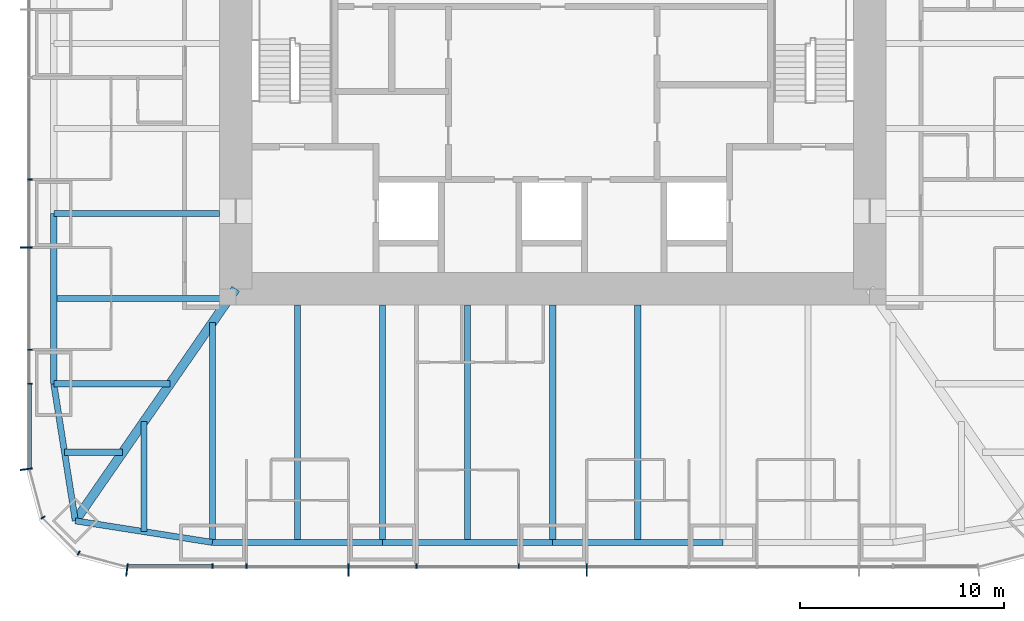
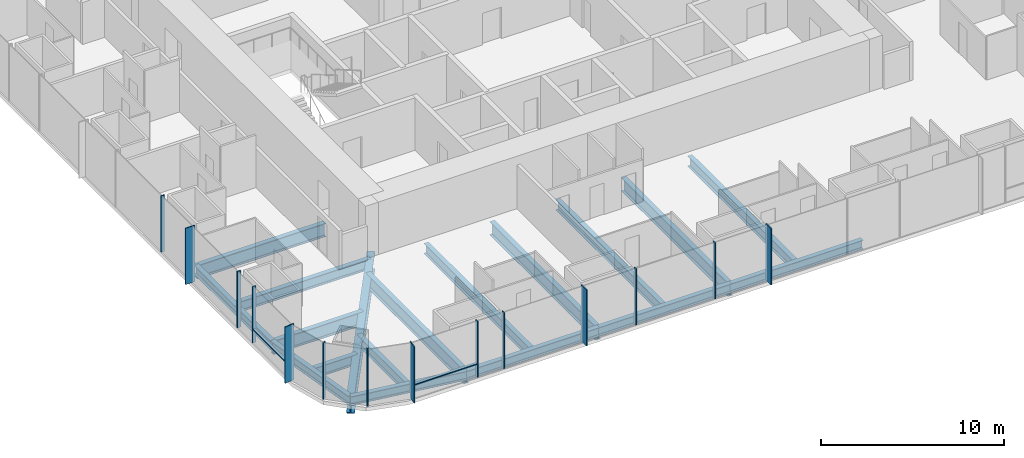
# One storey, part 2 of 13: 18 beams, 16 members, 3 elements without a shape of their own.
"""IFC4 building model written with IfcOpenShell, lengths in metres."""

from ifc_helpers import new_model, si_unit, direction, frame, origin, origin_2d, place, context, subcontext, project, spatial, rectangle, i_section, extrude, material, material_profile, profile_set, type_object, element, aggregate, save


model = new_model("IFC4")

# Units and contexts
model_context = context("Model", 3, precision=1e-05, world=origin(), true_north=direction((0.0, 1.0)))
body_context = subcontext(model_context, "Body", "Model", "MODEL_VIEW")
ifc_project = project(units=[si_unit("LENGTHUNIT", "METRE"), si_unit("AREAUNIT", "SQUARE_METRE"), si_unit("VOLUMEUNIT", "CUBIC_METRE"), si_unit("PLANEANGLEUNIT", "RADIAN"), si_unit("MASSUNIT", "GRAM", prefix="KILO")], contexts=[model_context])

# Site, building, storey
site_placement = place(None, origin())
site = spatial("IfcSite", under=ifc_project, at=site_placement, CompositionType="ELEMENT")
building_placement = place(site_placement, origin())
building = spatial("IfcBuilding", under=site, at=building_placement, Name="Khuree Lantern Residences", CompositionType="ELEMENT")
storey_placement = place(building_placement, frame((0.0, 0.0, 263.25)))
storey = spatial("IfcBuildingStorey", under=building, at=storey_placement, Name="L66", CompositionType="ELEMENT", Elevation=263.25)

# Beams
ifc_material_1 = material(Name="Steel S355", Category="steel")
ifc_material_profile_1 = material_profile(ifc_material_1, i_section(OverallWidth=0.300048828125, OverallDepth=0.68994140625, WebThickness=0.014404296875, FlangeThickness=0.027099609375, FilletRadius=0.027099609375, at=origin_2d()), Name="HE 700 A")
ifc_profile_set_1 = profile_set([ifc_material_profile_1], Name="Steel S355")
beam_type_1 = type_object("IfcBeamType", Name="B-35 SECONDARY BEAM HE 700 A", PredefinedType="BEAM", material=ifc_profile_set_1)
for number, where, z_axis, x_axis, name in (
    (1, (4.159912109375, -24.39990234375, -0.594970703125), (0.0, 1.0, 0.0), (-1.0, 0.0, 0.0), "Secondary beam S3"),
    (2, (-4.159912109375, -24.39990234375, -0.594970703125), (0.0, 1.0, 0.0), (-1.0, 0.0, 0.0), "Secondary beam S4"),
    (3, (-12.47998046875, -24.39990234375, -0.594970703125), (0.0, 1.0, 0.0), (-1.0, 0.0, 0.0), "Secondary beam S5"),
):
    element("IfcBeam", number, at=place(storey_placement, frame(where, z_axis=z_axis, x_axis=x_axis)), inside=storey, type_object=beam_type_1, Name=name, PredefinedType="BEAM", context=body_context, shape_type="SweptSolid", body=[
        extrude(i_section(OverallWidth=0.300048828125, OverallDepth=0.68994140625, WebThickness=0.014404296875, FlangeThickness=0.027099609375, FilletRadius=0.027099609375, at=origin_2d()), origin(), (0.0, 0.0, 1.0), 11.599853515625),
    ])
beam_1_placement = place(storey_placement, frame((-19.992919921875, -23.872802734375, -0.594970703125), z_axis=(0.0, 1.0, 0.0), x_axis=(-1.0, 0.0, 0.0)))
element("IfcBeam", 4, at=beam_1_placement, inside=storey, type_object=beam_type_1, Name="Secondary beam S6", PredefinedType="BEAM", context=body_context, shape_type="SweptSolid", body=[
    extrude(i_section(OverallWidth=0.300048828125, OverallDepth=0.68994140625, WebThickness=0.014404296875, FlangeThickness=0.027099609375, FilletRadius=0.027099609375, at=origin_2d()), origin(), (0.0, 0.0, 1.0), 5.375732421875),
])
beam_2_placement = place(storey_placement, frame((-23.872802734375, -19.992919921875, -0.594970703125), z_axis=(1.0, 0.0, 0.0), x_axis=(0.0, 1.0, 0.0)))
element("IfcBeam", 5, at=beam_2_placement, inside=storey, type_object=beam_type_1, Name="Secondary beam W1", PredefinedType="BEAM", context=body_context, shape_type="SweptSolid", body=[
    extrude(i_section(OverallWidth=0.300048828125, OverallDepth=0.68994140625, WebThickness=0.014404296875, FlangeThickness=0.027099609375, FilletRadius=0.027099609375, at=origin_2d()), origin(), (0.0, 0.0, 1.0), 2.845703125),
])
beam_3_placement = place(storey_placement, frame((-24.39990234375, -12.47998046875, -0.594970703125), z_axis=(1.0, 0.0, 0.0), x_axis=(0.0, 1.0, 0.0)))
element("IfcBeam", 6, at=beam_3_placement, inside=storey, type_object=beam_type_1, Name="Secondary beam W2", PredefinedType="BEAM", context=body_context, shape_type="SweptSolid", body=[
    extrude(i_section(OverallWidth=0.300048828125, OverallDepth=0.68994140625, WebThickness=0.014404296875, FlangeThickness=0.027099609375, FilletRadius=0.027099609375, at=origin_2d()), origin(), (0.0, 0.0, 1.0), 8.56787109375),
])
ifc_material_profile_2 = material_profile(ifc_material_1, i_section(OverallWidth=0.300048828125, OverallDepth=0.590087890625, WebThickness=0.012939453125, FlangeThickness=0.02490234375, FilletRadius=0.027099609375, at=origin_2d()), Name="HE 600 A")
ifc_profile_set_2 = profile_set([ifc_material_profile_2], Name="Steel S355")
beam_type_2 = type_object("IfcBeamType", Name="E-35 SPANDREL BEAM HE 600 A", PredefinedType="SPANDREL", material=ifc_profile_set_2)
for number, where, z_axis, x_axis, name in (
    (7, (8.320068359375, -24.39990234375, -0.544921875), (-1.0, 0.0, 0.0), (0.0, -1.0, 0.0), "Spandrel beam S3"),
    (8, (0.0, -24.39990234375, -0.544921875), (-1.0, 0.0, 0.0), (0.0, -1.0, 0.0), "Spandrel beam S4"),
):
    element("IfcBeam", number, at=place(storey_placement, frame(where, z_axis=z_axis, x_axis=x_axis)), inside=storey, type_object=beam_type_2, Name=name, PredefinedType="SPANDREL", context=body_context, shape_type="SweptSolid", body=[
        extrude(i_section(OverallWidth=0.300048828125, OverallDepth=0.590087890625, WebThickness=0.012939453125, FlangeThickness=0.02490234375, FilletRadius=0.027099609375, at=origin_2d()), origin(), (0.0, 0.0, 1.0), 8.320068359375),
    ])
beam_4_placement = place(storey_placement, frame((-8.320068359375, -24.39990234375, -0.544921875), z_axis=(-1.0, 0.0, 0.0), x_axis=(0.0, -1.0, 0.0)))
element("IfcBeam", 9, at=beam_4_placement, inside=storey, type_object=beam_type_2, Name="Spandrel beam S5", PredefinedType="SPANDREL", context=body_context, shape_type="SweptSolid", body=[
    extrude(i_section(OverallWidth=0.300048828125, OverallDepth=0.590087890625, WebThickness=0.012939453125, FlangeThickness=0.02490234375, FilletRadius=0.027099609375, at=origin_2d()), origin(), (0.0, 0.0, 1.0), 8.31982421875),
])
for number, where, z_axis, x_axis, name in (
    (10, (-16.639892578125, -24.39990234375, -0.544921875), (-0.98786743189, 0.155299507442, 0.0), (-0.155299507442, -0.98786743189, 0.0), "Spandrel beam S6"),
    (11, (-23.345703125, -23.345703125, -0.544921875), (-0.155299507442, 0.98786743189, 0.0), (-0.98786743189, -0.155299507442, 0.0), "Spandrel beam W1"),
):
    element("IfcBeam", number, at=place(storey_placement, frame(where, z_axis=z_axis, x_axis=x_axis)), inside=storey, type_object=beam_type_2, Name=name, PredefinedType="SPANDREL", context=body_context, shape_type="SweptSolid", body=[
        extrude(i_section(OverallWidth=0.300048828125, OverallDepth=0.590087890625, WebThickness=0.012939453125, FlangeThickness=0.02490234375, FilletRadius=0.027099609375, at=origin_2d()), origin(), (0.0, 0.0, 1.0), 6.7880859375),
    ])
beam_5_placement = place(storey_placement, frame((-24.39990234375, -16.639892578125, -0.544921875), z_axis=(0.0, 1.0, 0.0), x_axis=(-1.0, 0.0, 0.0)))
element("IfcBeam", 12, at=beam_5_placement, inside=storey, type_object=beam_type_2, Name="Spandrel beam W2", PredefinedType="SPANDREL", context=body_context, shape_type="SweptSolid", body=[
    extrude(i_section(OverallWidth=0.300048828125, OverallDepth=0.590087890625, WebThickness=0.012939453125, FlangeThickness=0.02490234375, FilletRadius=0.027099609375, at=origin_2d()), origin(), (0.0, 0.0, 1.0), 8.31982421875),
])

# Curtain wall, member
ifc_material_2 = material(Name="Bronze anodised aluminium", Category="aluminium")
curtain_wall_type_1 = type_object("IfcCurtainWallType", Name="CW-T1 TOWER FACE CURTAIN WALL", PredefinedType="USERDEFINED", material=ifc_material_2)
curtain_wall_1_placement = place(storey_placement, origin())
curtain_wall_1 = element("IfcCurtainWall", 13, at=curtain_wall_1_placement, inside=storey, type_object=curtain_wall_type_1, Name="L66 WEST FACE CURTAIN WALL", ObjectType="Stick-built curtain wall", PredefinedType="USERDEFINED")
ifc_material_profile_3 = material_profile(ifc_material_2, rectangle(XDim=0.06494140625, YDim=0.60009765625, at=origin_2d()), Name="F1 65X600")
ifc_profile_set_3 = profile_set([ifc_material_profile_3], Name="Bronze anodised aluminium")
member_type_1 = type_object("IfcMemberType", Name="F1 BRONZE FIN MULLION TOWER 65X600", PredefinedType="MULLION", material=ifc_profile_set_3)
member_1_placement = place(storey_placement, frame((-25.75, -9.98388671875, 0.0), z_axis=(0.0, 0.0, 1.0), x_axis=(0.0, -1.0, 0.0)))
member_1 = element("IfcMember", 14, at=member_1_placement, type_object=member_type_1, Name="L66 WEST FACE FIN MULLION 40", PredefinedType="MULLION", context=body_context, shape_type="SweptSolid", body=[
    extrude(rectangle(XDim=0.06494140625, YDim=0.60009765625, at=origin_2d()), origin(), (0.0, 0.0, 1.0), 3.75),
])

curtain_wall_type_2 = type_object("IfcCurtainWallType", Name="CW-T2 TOWER CORNER CURTAIN WALL", PredefinedType="USERDEFINED", material=ifc_material_2)
curtain_wall_2_placement = place(storey_placement, origin())
curtain_wall_2 = element("IfcCurtainWall", 15, at=curtain_wall_2_placement, inside=storey, type_object=curtain_wall_type_2, Name="L66 SOUTH-WEST CORNER CURTAIN WALL", ObjectType="Faceted corner curtain wall", PredefinedType="USERDEFINED")
member_2_placement = place(storey_placement, frame((-25.75, -20.81982421875, 0.0), z_axis=(0.0, 0.0, 1.0), x_axis=(0.130526180298, -0.991444862943, 0.0)))
member_2 = element("IfcMember", 16, at=member_2_placement, type_object=member_type_1, Name="L66 SOUTH-WEST CORNER FIN MULLION 43", PredefinedType="MULLION", context=body_context, shape_type="SweptSolid", body=[
    extrude(rectangle(XDim=0.06494140625, YDim=0.60009765625, at=origin_2d()), origin(), (0.0, 0.0, 1.0), 3.75),
])

# Curtain wall, members
curtain_wall_3_placement = place(storey_placement, origin())
curtain_wall_3 = element("IfcCurtainWall", 17, at=curtain_wall_3_placement, inside=storey, type_object=curtain_wall_type_1, Name="L66 SOUTH FACE CURTAIN WALL", ObjectType="Stick-built curtain wall", PredefinedType="USERDEFINED")
member_3_placement = place(storey_placement, frame((-20.81982421875, -25.75, 0.0), z_axis=(0.0, 0.0, 1.0), x_axis=(0.991444862943, -0.130526180298, 0.0)))
member_3 = element("IfcMember", 18, at=member_3_placement, type_object=member_type_1, Name="L66 SOUTH FACE FIN MULLION 46", PredefinedType="MULLION", context=body_context, shape_type="SweptSolid", body=[
    extrude(rectangle(XDim=0.06494140625, YDim=0.60009765625, at=origin_2d()), origin(), (0.0, 0.0, 1.0), 3.75),
])
member_4_placement = place(storey_placement, frame((-9.98388671875, -25.75, 0.0), z_axis=(0.0, 0.0, 1.0), x_axis=(1.0, 0.0, 0.0)))
member_4 = element("IfcMember", 19, at=member_4_placement, type_object=member_type_1, Name="L66 SOUTH FACE FIN MULLION 49", PredefinedType="MULLION", context=body_context, shape_type="SweptSolid", body=[
    extrude(rectangle(XDim=0.06494140625, YDim=0.60009765625, at=origin_2d()), origin(), (0.0, 0.0, 1.0), 3.75),
])
member_5_placement = place(storey_placement, frame((1.6640625, -25.75, 0.0), z_axis=(0.0, 0.0, 1.0), x_axis=(1.0, 0.0, 0.0)))
member_5 = element("IfcMember", 20, at=member_5_placement, type_object=member_type_1, Name="L66 SOUTH FACE FIN MULLION 52", PredefinedType="MULLION", context=body_context, shape_type="SweptSolid", body=[
    extrude(rectangle(XDim=0.06494140625, YDim=0.60009765625, at=origin_2d()), origin(), (0.0, 0.0, 1.0), 3.75),
])

# Beams
ifc_material_profile_4 = material_profile(ifc_material_1, i_section(OverallWidth=0.300048828125, OverallDepth=0.89990234375, WebThickness=0.0185546875, FlangeThickness=0.034912109375, FilletRadius=0.030029296875, at=origin_2d()), Name="HE 900 B")
ifc_profile_set_4 = profile_set([ifc_material_profile_4], Name="Steel S355")
beam_type_3 = type_object("IfcBeamType", Name="G-35 GIRDER HE 900 B", PredefinedType="BEAM", material=ifc_profile_set_4)
for number, where, z_axis, x_axis, name in (
    (21, (0.0, -24.39990234375, -0.699951171875), (0.0, 1.0, 0.0), (-1.0, 0.0, 0.0), "Girder S3"),
    (22, (-8.320068359375, -24.39990234375, -0.699951171875), (0.0, 1.0, 0.0), (-1.0, 0.0, 0.0), "Girder S4"),
):
    element("IfcBeam", number, at=place(storey_placement, frame(where, z_axis=z_axis, x_axis=x_axis)), inside=storey, type_object=beam_type_3, Name=name, PredefinedType="BEAM", context=body_context, shape_type="SweptSolid", body=[
        extrude(i_section(OverallWidth=0.300048828125, OverallDepth=0.89990234375, WebThickness=0.0185546875, FlangeThickness=0.034912109375, FilletRadius=0.030029296875, at=origin_2d()), origin(), (0.0, 0.0, 1.0), 11.599853515625),
    ])
beam_6_placement = place(storey_placement, frame((-16.639892578125, -24.39990234375, -0.699951171875), z_axis=(0.0, 1.0, 0.0), x_axis=(-1.0, 0.0, 0.0)))
element("IfcBeam", 23, at=beam_6_placement, inside=storey, type_object=beam_type_3, Name="Girder S5", PredefinedType="BEAM", context=body_context, shape_type="SweptSolid", body=[
    extrude(i_section(OverallWidth=0.300048828125, OverallDepth=0.89990234375, WebThickness=0.0185546875, FlangeThickness=0.034912109375, FilletRadius=0.030029296875, at=origin_2d()), origin(), (0.0, 0.0, 1.0), 10.751220703125),
])
beam_7_placement = place(storey_placement, frame((-24.39990234375, -16.639892578125, -0.699951171875), z_axis=(1.0, 0.0, 0.0), x_axis=(0.0, 1.0, 0.0)))
element("IfcBeam", 24, at=beam_7_placement, inside=storey, type_object=beam_type_3, Name="Girder W1", PredefinedType="BEAM", context=body_context, shape_type="SweptSolid", body=[
    extrude(i_section(OverallWidth=0.300048828125, OverallDepth=0.89990234375, WebThickness=0.0185546875, FlangeThickness=0.034912109375, FilletRadius=0.030029296875, at=origin_2d()), origin(), (0.0, 0.0, 1.0), 5.69140625),
])
beam_8_placement = place(storey_placement, frame((-24.39990234375, -8.320068359375, -0.699951171875), z_axis=(1.0, 0.0, 0.0), x_axis=(0.0, 1.0, 0.0)))
element("IfcBeam", 25, at=beam_8_placement, inside=storey, type_object=beam_type_3, Name="Girder W2", PredefinedType="BEAM", context=body_context, shape_type="SweptSolid", body=[
    extrude(i_section(OverallWidth=0.300048828125, OverallDepth=0.89990234375, WebThickness=0.0185546875, FlangeThickness=0.034912109375, FilletRadius=0.030029296875, at=origin_2d()), origin(), (0.0, 0.0, 1.0), 8.099853515625),
])
ifc_material_profile_5 = material_profile(ifc_material_1, i_section(OverallWidth=0.449951171875, OverallDepth=1.199951171875, WebThickness=0.02490234375, FlangeThickness=0.044921875, at=origin_2d()), Name="WELDED I 1200X450X25X45")
ifc_profile_set_5 = profile_set([ifc_material_profile_5], Name="Steel S355")
beam_type_4 = type_object("IfcBeamType", Name="GD-35 CORNER GIRDER WELDED I 1200X450X25X45", PredefinedType="BEAM", material=ifc_profile_set_5)
beam_9_placement = place(storey_placement, frame((-23.345703125, -23.345703125, -0.85009765625), z_axis=(0.56876813501, 0.822497907959, 0.0), x_axis=(-0.822497907959, 0.56876813501, 0.0)))
element("IfcBeam", 26, at=beam_9_placement, inside=storey, type_object=beam_type_4, Name="Corner girder SW", PredefinedType="BEAM", context=body_context, shape_type="SweptSolid", body=[
    extrude(i_section(OverallWidth=0.449951171875, OverallDepth=1.199951171875, WebThickness=0.02490234375, FlangeThickness=0.044921875, at=origin_2d()), origin(), (0.0, 0.0, 1.0), 13.794189453125),
])

# Member
ifc_material_profile_6 = material_profile(ifc_material_2, rectangle(XDim=0.06494140625, YDim=0.219970703125, at=origin_2d()), Name="M1 65X220")
ifc_profile_set_6 = profile_set([ifc_material_profile_6], Name="Bronze anodised aluminium")
member_type_2 = type_object("IfcMemberType", Name="M1 BRONZE MULLION TOWER 65X220", PredefinedType="MULLION", material=ifc_profile_set_6)
member_6_placement = place(storey_placement, frame((-25.56005859375, -6.656005859375, 0.0), z_axis=(0.0, 0.0, 1.0), x_axis=(0.0, -1.0, 0.0)))
member_6 = element("IfcMember", 27, at=member_6_placement, type_object=member_type_2, Name="L66 WEST FACE MULLION 39", PredefinedType="MULLION", context=body_context, shape_type="SweptSolid", body=[
    extrude(rectangle(XDim=0.06494140625, YDim=0.219970703125, at=origin_2d()), origin(), (0.0, 0.0, 1.0), 3.75),
])

member_7_placement = place(storey_placement, frame((-25.56005859375, -14.97607421875, 0.0), z_axis=(0.0, 0.0, 1.0), x_axis=(0.0, -1.0, 0.0)))
member_7 = element("IfcMember", 28, at=member_7_placement, type_object=member_type_2, Name="L66 WEST FACE MULLION 41", PredefinedType="MULLION", context=body_context, shape_type="SweptSolid", body=[
    extrude(rectangle(XDim=0.06494140625, YDim=0.219970703125, at=origin_2d()), origin(), (0.0, 0.0, 1.0), 3.75),
])

member_8_placement = place(storey_placement, frame((-25.56005859375, -16.639892578125, 0.0), z_axis=(0.0, 0.0, 1.0), x_axis=(0.0, -1.0, 0.0)))
member_8 = element("IfcMember", 29, at=member_8_placement, type_object=member_type_2, Name="L66 WEST FACE MULLION 42", PredefinedType="MULLION", context=body_context, shape_type="SweptSolid", body=[
    extrude(rectangle(XDim=0.06494140625, YDim=0.219970703125, at=origin_2d()), origin(), (0.0, 0.0, 1.0), 3.75),
])

member_9_placement = place(storey_placement, frame((-24.92236328125, -23.179931640625, 0.0), z_axis=(0.0, 0.0, 1.0), x_axis=(0.499999989586, -0.866025409797, 0.0)))
member_9 = element("IfcMember", 30, at=member_9_placement, type_object=member_type_2, Name="L66 SOUTH-WEST CORNER MULLION 44", PredefinedType="MULLION", context=body_context, shape_type="SweptSolid", body=[
    extrude(rectangle(XDim=0.06494140625, YDim=0.219970703125, at=origin_2d()), origin(), (0.0, 0.0, 1.0), 3.75),
])

member_10_placement = place(storey_placement, frame((-23.179931640625, -24.92236328125, 0.0), z_axis=(0.0, 0.0, 1.0), x_axis=(0.866025409797, -0.499999989586, 0.0)))
member_10 = element("IfcMember", 31, at=member_10_placement, type_object=member_type_2, Name="L66 SOUTH-WEST CORNER MULLION 45", PredefinedType="MULLION", context=body_context, shape_type="SweptSolid", body=[
    extrude(rectangle(XDim=0.06494140625, YDim=0.219970703125, at=origin_2d()), origin(), (0.0, 0.0, 1.0), 3.75),
])

aggregate(curtain_wall_2, [member_2, member_9, member_10])

member_11_placement = place(storey_placement, frame((-16.639892578125, -25.56005859375, 0.0), z_axis=(0.0, 0.0, 1.0), x_axis=(1.0, 0.0, 0.0)))
member_11 = element("IfcMember", 32, at=member_11_placement, type_object=member_type_2, Name="L66 SOUTH FACE MULLION 47", PredefinedType="MULLION", context=body_context, shape_type="SweptSolid", body=[
    extrude(rectangle(XDim=0.06494140625, YDim=0.219970703125, at=origin_2d()), origin(), (0.0, 0.0, 1.0), 3.75),
])

member_12_placement = place(storey_placement, frame((-14.97607421875, -25.56005859375, 0.0), z_axis=(0.0, 0.0, 1.0), x_axis=(1.0, 0.0, 0.0)))
member_12 = element("IfcMember", 33, at=member_12_placement, type_object=member_type_2, Name="L66 SOUTH FACE MULLION 48", PredefinedType="MULLION", context=body_context, shape_type="SweptSolid", body=[
    extrude(rectangle(XDim=0.06494140625, YDim=0.219970703125, at=origin_2d()), origin(), (0.0, 0.0, 1.0), 3.75),
])

member_13_placement = place(storey_placement, frame((-6.656005859375, -25.56005859375, 0.0), z_axis=(0.0, 0.0, 1.0), x_axis=(1.0, 0.0, 0.0)))
member_13 = element("IfcMember", 34, at=member_13_placement, type_object=member_type_2, Name="L66 SOUTH FACE MULLION 50", PredefinedType="MULLION", context=body_context, shape_type="SweptSolid", body=[
    extrude(rectangle(XDim=0.06494140625, YDim=0.219970703125, at=origin_2d()), origin(), (0.0, 0.0, 1.0), 3.75),
])

member_14_placement = place(storey_placement, frame((-1.6640625, -25.56005859375, 0.0), z_axis=(0.0, 0.0, 1.0), x_axis=(1.0, 0.0, 0.0)))
member_14 = element("IfcMember", 35, at=member_14_placement, type_object=member_type_2, Name="L66 SOUTH FACE MULLION 51", PredefinedType="MULLION", context=body_context, shape_type="SweptSolid", body=[
    extrude(rectangle(XDim=0.06494140625, YDim=0.219970703125, at=origin_2d()), origin(), (0.0, 0.0, 1.0), 3.75),
])

ifc_material_profile_7 = material_profile(ifc_material_2, rectangle(XDim=0.179931640625, YDim=0.06494140625, at=origin_2d()), Name="T1 180X65")
ifc_profile_set_7 = profile_set([ifc_material_profile_7], Name="Bronze anodised aluminium")
member_type_3 = type_object("IfcMemberType", Name="TRANSOM T1 TOWER 180X65", PredefinedType="USERDEFINED", material=ifc_profile_set_7)
member_15_placement = place(storey_placement, frame((-25.570068359375, -16.672607421875, 0.89990234375), z_axis=(0.0, -1.0, 0.0), x_axis=(1.0, 0.0, 0.0)))
member_15 = element("IfcMember", 36, at=member_15_placement, type_object=member_type_3, Name="L66 WEST FACE TRANSOM 42.1", ObjectType="Transom", PredefinedType="USERDEFINED", context=body_context, shape_type="SweptSolid", body=[
    extrude(rectangle(XDim=0.179931640625, YDim=0.06494140625, at=origin_2d()), origin(), (0.0, 0.0, 1.0), 4.078857421875),
])

aggregate(curtain_wall_1, [member_6, member_1, member_7, member_8, member_15])

member_16_placement = place(storey_placement, frame((-20.75146484375, -25.570068359375, 0.89990234375), z_axis=(1.0, 0.0, 0.0), x_axis=(0.0, 1.0, 0.0)))
member_16 = element("IfcMember", 37, at=member_16_placement, type_object=member_type_3, Name="L66 SOUTH FACE TRANSOM 46.1", ObjectType="Transom", PredefinedType="USERDEFINED", context=body_context, shape_type="SweptSolid", body=[
    extrude(rectangle(XDim=0.179931640625, YDim=0.06494140625, at=origin_2d()), origin(), (0.0, 0.0, 1.0), 4.078857421875),
])

aggregate(curtain_wall_3, [member_3, member_11, member_12, member_4, member_13, member_14, member_5, member_16])

save(model, "model.ifc")
